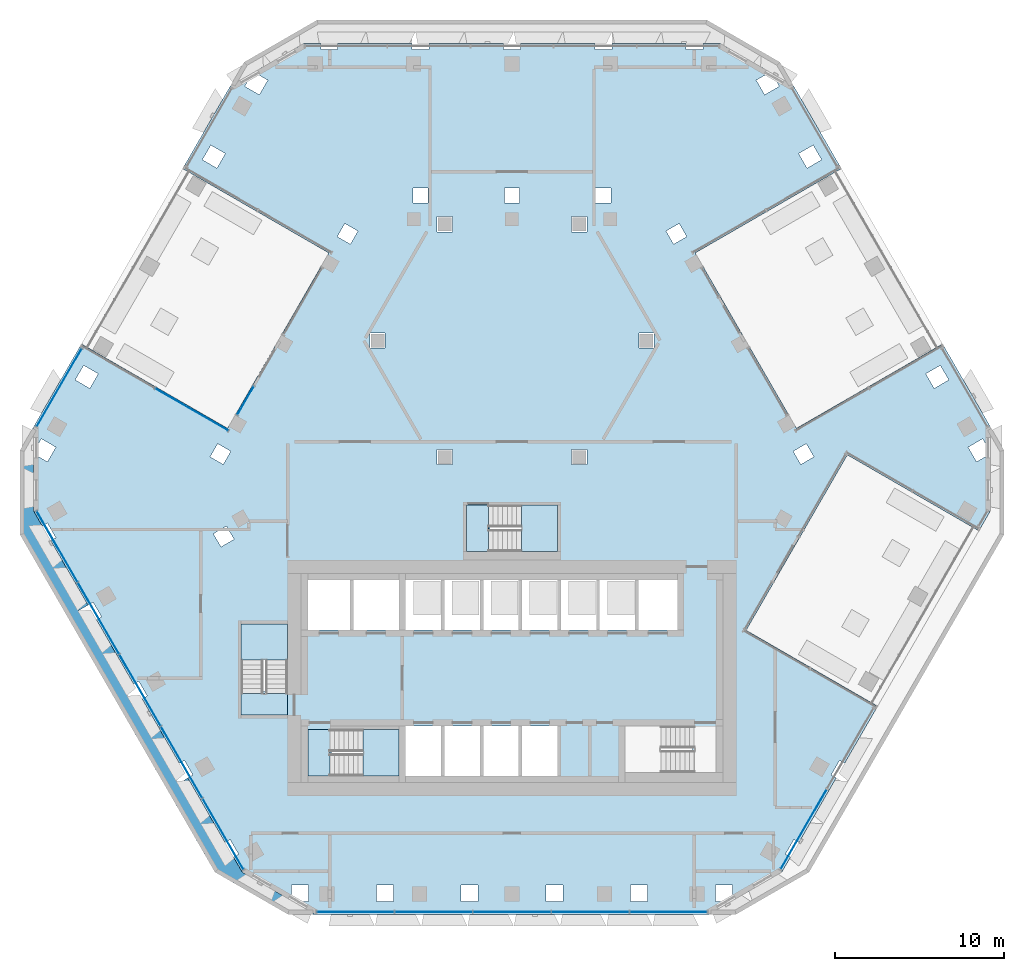
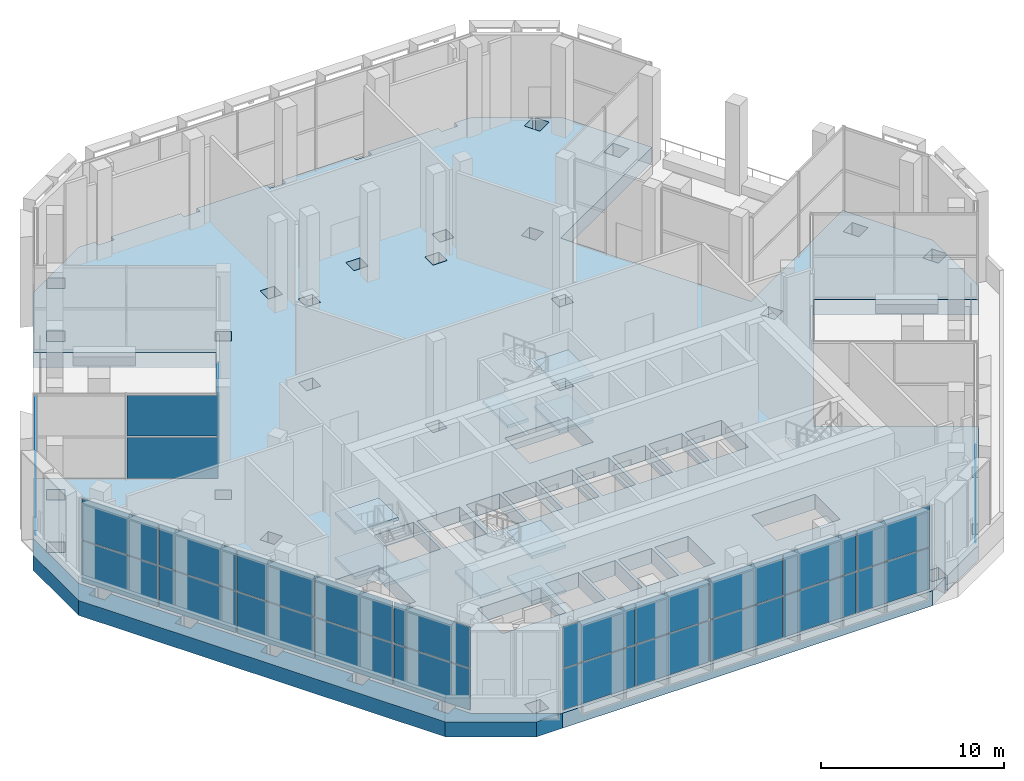
# One storey, part 7 of 27: 27 plates, 11 slabs, 9 elements without a shape of their own.
"""IFC4 building model written with IfcOpenShell, lengths in metres."""

from ifc_helpers import new_model, si_unit, direction, frame, origin, origin_2d, place, context, subcontext, project, spatial, polyline, rectangle, outline, extrude, material, layer, layer_set, type_object, element, aggregate, save


model = new_model("IFC4")

# Units and contexts
model_context = context("Model", 3, precision=1e-05, world=origin(), true_north=direction((0.0, 1.0)))
body_context = subcontext(model_context, "Body", "Model", "MODEL_VIEW")
ifc_project = project(units=[si_unit("LENGTHUNIT", "METRE"), si_unit("AREAUNIT", "SQUARE_METRE"), si_unit("VOLUMEUNIT", "CUBIC_METRE"), si_unit("PLANEANGLEUNIT", "RADIAN"), si_unit("MASSUNIT", "GRAM", prefix="KILO")], contexts=[model_context])

# Site, building, storey
site_placement = place(None, origin())
site = spatial("IfcSite", under=ifc_project, at=site_placement, CompositionType="ELEMENT")
building_placement = place(site_placement, origin())
building = spatial("IfcBuilding", under=site, at=building_placement, Name="Beryl Residences", CompositionType="ELEMENT")
storey_placement = place(building_placement, frame((0.0, 0.0, 111.60009765625)))
storey = spatial("IfcBuildingStorey", under=building, at=storey_placement, Name="L34", CompositionType="ELEMENT", Elevation=111.60009765625)

# Curtain wall, plates
ifc_material_1 = material(Name="Aluminium and clear glass", Category="aluminium")
curtain_wall_type = type_object("IfcCurtainWallType", Name="CW3 sky garden glazing glazed wall", PredefinedType="NOTDEFINED", material=ifc_material_1)
curtain_wall_1_placement = place(storey_placement, origin())
curtain_wall_1 = element("IfcCurtainWall", 1, at=curtain_wall_1_placement, inside=storey, type_object=curtain_wall_type, Name="CW3 L34 NW", PredefinedType="NOTDEFINED")
ifc_material_2 = material(Name="Clear laminated glass", Category="glass")
ifc_layer_1 = layer(ifc_material_2, 0.028076171875)
ifc_layer_set_1 = layer_set([ifc_layer_1], Name="CW3-P glazing panel 28 mm")
plate_type = type_object("IfcPlateType", Name="CW3-P glazing panel 28 mm", PredefinedType="CURTAIN_PANEL", material=ifc_layer_set_1)
plate_1_placement = place(storey_placement, frame((-26.83642578125, 5.218505859375, 0.079833984375), z_axis=(0.0, 0.0, 1.0), x_axis=(-0.499950258479, -0.866054120161, 0.0)))
plate_1 = element("IfcPlate", 2, at=plate_1_placement, type_object=plate_type, Name="CW3 panel 1.1", PredefinedType="CURTAIN_PANEL", context=body_context, shape_type="SweptSolid", body=[
    extrude(rectangle(XDim=5.28662109375, YDim=0.028076171875, at=origin_2d()), origin(), (0.0, 0.0, 1.0), 2.72998046875),
])
plate_2_placement = place(storey_placement, frame((-26.83642578125, 5.218505859375, 2.889892578125), z_axis=(0.0, 0.0, 1.0), x_axis=(-0.499950258479, -0.866054120161, 0.0)))
plate_2 = element("IfcPlate", 3, at=plate_2_placement, type_object=plate_type, Name="CW3 panel 1.2", PredefinedType="CURTAIN_PANEL", context=body_context, shape_type="SweptSolid", body=[
    extrude(rectangle(XDim=5.28662109375, YDim=0.028076171875, at=origin_2d()), origin(), (0.0, 0.0, 1.0), 2.72998046875),
])
aggregate(curtain_wall_1, [plate_1, plate_2])

curtain_wall_2_placement = place(storey_placement, origin())
curtain_wall_2 = element("IfcCurtainWall", 4, at=curtain_wall_2_placement, inside=storey, type_object=curtain_wall_type, Name="CW3 L34 SW", PredefinedType="NOTDEFINED")
plate_3_placement = place(storey_placement, frame((-26.95654296875, -4.210205078125, 0.079833984375), z_axis=(0.0, 0.0, 1.0), x_axis=(0.500003616288, -0.866023315909, 0.0)))
plate_3 = element("IfcPlate", 5, at=plate_3_placement, type_object=plate_type, Name="CW3 panel 1.1", PredefinedType="CURTAIN_PANEL", context=body_context, shape_type="SweptSolid", body=[
    extrude(rectangle(XDim=4.805908203125, YDim=0.028076171875, at=origin_2d()), origin(), (0.0, 0.0, 1.0), 2.72998046875),
])
plate_4_placement = place(storey_placement, frame((-26.95654296875, -4.210205078125, 2.889892578125), z_axis=(0.0, 0.0, 1.0), x_axis=(0.500003616288, -0.866023315909, 0.0)))
plate_4 = element("IfcPlate", 6, at=plate_4_placement, type_object=plate_type, Name="CW3 panel 1.2", PredefinedType="CURTAIN_PANEL", context=body_context, shape_type="SweptSolid", body=[
    extrude(rectangle(XDim=4.805908203125, YDim=0.028076171875, at=origin_2d()), origin(), (0.0, 0.0, 1.0), 2.72998046875),
])
plate_5_placement = place(storey_placement, frame((-24.50341796875, -8.458984375, 0.079833984375), z_axis=(0.0, 0.0, 1.0), x_axis=(0.500003616288, -0.866023315909, 0.0)))
plate_5 = element("IfcPlate", 7, at=plate_5_placement, type_object=plate_type, Name="CW3 panel 2.1", PredefinedType="CURTAIN_PANEL", context=body_context, shape_type="SweptSolid", body=[
    extrude(rectangle(XDim=4.845947265625, YDim=0.028076171875, at=origin_2d()), origin(), (0.0, 0.0, 1.0), 2.72998046875),
])
plate_6_placement = place(storey_placement, frame((-24.50341796875, -8.458984375, 2.889892578125), z_axis=(0.0, 0.0, 1.0), x_axis=(0.500003616288, -0.866023315909, 0.0)))
plate_6 = element("IfcPlate", 8, at=plate_6_placement, type_object=plate_type, Name="CW3 panel 2.2", PredefinedType="CURTAIN_PANEL", context=body_context, shape_type="SweptSolid", body=[
    extrude(rectangle(XDim=4.845947265625, YDim=0.028076171875, at=origin_2d()), origin(), (0.0, 0.0, 1.0), 2.72998046875),
])
plate_7_placement = place(storey_placement, frame((-22.04052734375, -12.72509765625, 0.079833984375), z_axis=(0.0, 0.0, 1.0), x_axis=(0.500003616288, -0.866023315909, 0.0)))
plate_7 = element("IfcPlate", 9, at=plate_7_placement, type_object=plate_type, Name="CW3 panel 3.1", PredefinedType="CURTAIN_PANEL", context=body_context, shape_type="SweptSolid", body=[
    extrude(rectangle(XDim=4.845947265625, YDim=0.028076171875, at=origin_2d()), origin(), (0.0, 0.0, 1.0), 2.72998046875),
])
plate_8_placement = place(storey_placement, frame((-22.04052734375, -12.72509765625, 2.889892578125), z_axis=(0.0, 0.0, 1.0), x_axis=(0.500003616288, -0.866023315909, 0.0)))
plate_8 = element("IfcPlate", 10, at=plate_8_placement, type_object=plate_type, Name="CW3 panel 3.2", PredefinedType="CURTAIN_PANEL", context=body_context, shape_type="SweptSolid", body=[
    extrude(rectangle(XDim=4.845947265625, YDim=0.028076171875, at=origin_2d()), origin(), (0.0, 0.0, 1.0), 2.72998046875),
])
plate_9_placement = place(storey_placement, frame((-19.577392578125, -16.990966796875, 0.079833984375), z_axis=(0.0, 0.0, 1.0), x_axis=(0.500003616288, -0.866023315909, 0.0)))
plate_9 = element("IfcPlate", 11, at=plate_9_placement, type_object=plate_type, Name="CW3 panel 4.1", PredefinedType="CURTAIN_PANEL", context=body_context, shape_type="SweptSolid", body=[
    extrude(rectangle(XDim=4.845947265625, YDim=0.028076171875, at=origin_2d()), origin(), (0.0, 0.0, 1.0), 2.72998046875),
])
plate_10_placement = place(storey_placement, frame((-19.577392578125, -16.990966796875, 2.889892578125), z_axis=(0.0, 0.0, 1.0), x_axis=(0.500003616288, -0.866023315909, 0.0)))
plate_10 = element("IfcPlate", 12, at=plate_10_placement, type_object=plate_type, Name="CW3 panel 4.2", PredefinedType="CURTAIN_PANEL", context=body_context, shape_type="SweptSolid", body=[
    extrude(rectangle(XDim=4.845947265625, YDim=0.028076171875, at=origin_2d()), origin(), (0.0, 0.0, 1.0), 2.72998046875),
])
plate_11_placement = place(storey_placement, frame((-17.12451171875, -21.23974609375, 0.079833984375), z_axis=(0.0, 0.0, 1.0), x_axis=(0.500003616288, -0.866023315909, 0.0)))
plate_11 = element("IfcPlate", 13, at=plate_11_placement, type_object=plate_type, Name="CW3 panel 5.1", PredefinedType="CURTAIN_PANEL", context=body_context, shape_type="SweptSolid", body=[
    extrude(rectangle(XDim=4.805908203125, YDim=0.028076171875, at=origin_2d()), origin(), (0.0, 0.0, 1.0), 2.72998046875),
])
plate_12_placement = place(storey_placement, frame((-17.12451171875, -21.23974609375, 2.889892578125), z_axis=(0.0, 0.0, 1.0), x_axis=(0.500003616288, -0.866023315909, 0.0)))
plate_12 = element("IfcPlate", 14, at=plate_12_placement, type_object=plate_type, Name="CW3 panel 5.2", PredefinedType="CURTAIN_PANEL", context=body_context, shape_type="SweptSolid", body=[
    extrude(rectangle(XDim=4.805908203125, YDim=0.028076171875, at=origin_2d()), origin(), (0.0, 0.0, 1.0), 2.72998046875),
])
aggregate(curtain_wall_2, [plate_3, plate_4, plate_5, plate_6, plate_7, plate_8, plate_9, plate_10, plate_11, plate_12])

curtain_wall_3_placement = place(storey_placement, origin())
curtain_wall_3 = element("IfcCurtainWall", 15, at=curtain_wall_3_placement, inside=storey, type_object=curtain_wall_type, Name="CW3 L34 S", PredefinedType="NOTDEFINED")
plate_13_placement = place(storey_placement, frame((-9.277587890625, -25.85009765625, 0.079833984375), z_axis=(0.0, 0.0, 1.0), x_axis=(1.0, 0.0, 0.0)))
plate_13 = element("IfcPlate", 16, at=plate_13_placement, type_object=plate_type, Name="CW3 panel 1.1", PredefinedType="CURTAIN_PANEL", context=body_context, shape_type="SweptSolid", body=[
    extrude(rectangle(XDim=4.52880859375, YDim=0.028076171875, at=origin_2d()), origin(), (0.0, 0.0, 1.0), 2.72998046875),
])
plate_14_placement = place(storey_placement, frame((-9.277587890625, -25.85009765625, 2.889892578125), z_axis=(0.0, 0.0, 1.0), x_axis=(1.0, 0.0, 0.0)))
plate_14 = element("IfcPlate", 17, at=plate_14_placement, type_object=plate_type, Name="CW3 panel 1.2", PredefinedType="CURTAIN_PANEL", context=body_context, shape_type="SweptSolid", body=[
    extrude(rectangle(XDim=4.52880859375, YDim=0.028076171875, at=origin_2d()), origin(), (0.0, 0.0, 1.0), 2.72998046875),
])
plate_15_placement = place(storey_placement, frame((-4.648681640625, -25.85009765625, 0.079833984375), z_axis=(0.0, 0.0, 1.0), x_axis=(1.0, 0.0, 0.0)))
plate_15 = element("IfcPlate", 18, at=plate_15_placement, type_object=plate_type, Name="CW3 panel 2.1", PredefinedType="CURTAIN_PANEL", context=body_context, shape_type="SweptSolid", body=[
    extrude(rectangle(XDim=4.56884765625, YDim=0.028076171875, at=origin_2d()), origin(), (0.0, 0.0, 1.0), 2.72998046875),
])
plate_16_placement = place(storey_placement, frame((-4.648681640625, -25.85009765625, 2.889892578125), z_axis=(0.0, 0.0, 1.0), x_axis=(1.0, 0.0, 0.0)))
plate_16 = element("IfcPlate", 19, at=plate_16_placement, type_object=plate_type, Name="CW3 panel 2.2", PredefinedType="CURTAIN_PANEL", context=body_context, shape_type="SweptSolid", body=[
    extrude(rectangle(XDim=4.56884765625, YDim=0.028076171875, at=origin_2d()), origin(), (0.0, 0.0, 1.0), 2.72998046875),
])
plate_17_placement = place(storey_placement, frame((0.0, -25.85009765625, 0.079833984375), z_axis=(0.0, 0.0, 1.0), x_axis=(1.0, 0.0, 0.0)))
plate_17 = element("IfcPlate", 20, at=plate_17_placement, type_object=plate_type, Name="CW3 panel 3.1", PredefinedType="CURTAIN_PANEL", context=body_context, shape_type="SweptSolid", body=[
    extrude(rectangle(XDim=4.56884765625, YDim=0.028076171875, at=origin_2d()), origin(), (0.0, 0.0, 1.0), 2.72998046875),
])
plate_18_placement = place(storey_placement, frame((0.0, -25.85009765625, 2.889892578125), z_axis=(0.0, 0.0, 1.0), x_axis=(1.0, 0.0, 0.0)))
plate_18 = element("IfcPlate", 21, at=plate_18_placement, type_object=plate_type, Name="CW3 panel 3.2", PredefinedType="CURTAIN_PANEL", context=body_context, shape_type="SweptSolid", body=[
    extrude(rectangle(XDim=4.56884765625, YDim=0.028076171875, at=origin_2d()), origin(), (0.0, 0.0, 1.0), 2.72998046875),
])
plate_19_placement = place(storey_placement, frame((4.648681640625, -25.85009765625, 0.079833984375), z_axis=(0.0, 0.0, 1.0), x_axis=(1.0, 0.0, 0.0)))
plate_19 = element("IfcPlate", 22, at=plate_19_placement, type_object=plate_type, Name="CW3 panel 4.1", PredefinedType="CURTAIN_PANEL", context=body_context, shape_type="SweptSolid", body=[
    extrude(rectangle(XDim=4.56884765625, YDim=0.028076171875, at=origin_2d()), origin(), (0.0, 0.0, 1.0), 2.72998046875),
])
plate_20_placement = place(storey_placement, frame((4.648681640625, -25.85009765625, 2.889892578125), z_axis=(0.0, 0.0, 1.0), x_axis=(1.0, 0.0, 0.0)))
plate_20 = element("IfcPlate", 23, at=plate_20_placement, type_object=plate_type, Name="CW3 panel 4.2", PredefinedType="CURTAIN_PANEL", context=body_context, shape_type="SweptSolid", body=[
    extrude(rectangle(XDim=4.56884765625, YDim=0.028076171875, at=origin_2d()), origin(), (0.0, 0.0, 1.0), 2.72998046875),
])
plate_21_placement = place(storey_placement, frame((9.277587890625, -25.85009765625, 0.079833984375), z_axis=(0.0, 0.0, 1.0), x_axis=(1.0, 0.0, 0.0)))
plate_21 = element("IfcPlate", 24, at=plate_21_placement, type_object=plate_type, Name="CW3 panel 5.1", PredefinedType="CURTAIN_PANEL", context=body_context, shape_type="SweptSolid", body=[
    extrude(rectangle(XDim=4.52880859375, YDim=0.028076171875, at=origin_2d()), origin(), (0.0, 0.0, 1.0), 2.72998046875),
])
plate_22_placement = place(storey_placement, frame((9.277587890625, -25.85009765625, 2.889892578125), z_axis=(0.0, 0.0, 1.0), x_axis=(1.0, 0.0, 0.0)))
plate_22 = element("IfcPlate", 25, at=plate_22_placement, type_object=plate_type, Name="CW3 panel 5.2", PredefinedType="CURTAIN_PANEL", context=body_context, shape_type="SweptSolid", body=[
    extrude(rectangle(XDim=4.52880859375, YDim=0.028076171875, at=origin_2d()), origin(), (0.0, 0.0, 1.0), 2.72998046875),
])
aggregate(curtain_wall_3, [plate_13, plate_14, plate_15, plate_16, plate_17, plate_18, plate_19, plate_20, plate_21, plate_22])

# Curtain wall, plate
curtain_wall_4_placement = place(storey_placement, origin())
curtain_wall_4 = element("IfcCurtainWall", 26, at=curtain_wall_4_placement, inside=storey, type_object=curtain_wall_type, Name="CW3 L34 SE", PredefinedType="NOTDEFINED")
plate_23_placement = place(storey_placement, frame((17.285400390625, -20.9609375, 0.079833984375), z_axis=(0.0, 0.0, 1.0), x_axis=(0.500020329666, 0.866013666128, 0.0)))
plate_23 = element("IfcPlate", 27, at=plate_23_placement, type_object=plate_type, Name="CW3 panel 1.1", PredefinedType="CURTAIN_PANEL", context=body_context, shape_type="SweptSolid", body=[
    extrude(rectangle(XDim=5.44970703125, YDim=0.028076171875, at=origin_2d()), origin(), (0.0, 0.0, 1.0), 2.72998046875),
])
aggregate(curtain_wall_4, [plate_23])

# Curtain wall, plates
curtain_wall_5_placement = place(storey_placement, origin())
curtain_wall_5 = element("IfcCurtainWall", 28, at=curtain_wall_5_placement, inside=storey, type_object=curtain_wall_type, Name="CW3 L34 NW garden back", PredefinedType="NOTDEFINED")
plate_24_placement = place(storey_placement, frame((-15.7900390625, 4.451416015625, 0.079833984375), z_axis=(0.0, 0.0, 1.0), x_axis=(-0.500069298337, -0.865985390674, 0.0)))
plate_24 = element("IfcPlate", 29, at=plate_24_placement, type_object=plate_type, Name="CW3 panel 1.1", PredefinedType="CURTAIN_PANEL", context=body_context, shape_type="SweptSolid", body=[
    extrude(rectangle(XDim=1.919677734375, YDim=0.028076171875, at=origin_2d()), origin(), (0.0, 0.0, 1.0), 2.72998046875),
])
plate_25_placement = place(storey_placement, frame((-15.7900390625, 4.451416015625, 2.889892578125), z_axis=(0.0, 0.0, 1.0), x_axis=(-0.500069298337, -0.865985390674, 0.0)))
plate_25 = element("IfcPlate", 30, at=plate_25_placement, type_object=plate_type, Name="CW3 panel 1.2", PredefinedType="CURTAIN_PANEL", context=body_context, shape_type="SweptSolid", body=[
    extrude(rectangle(XDim=1.919677734375, YDim=0.028076171875, at=origin_2d()), origin(), (0.0, 0.0, 1.0), 2.72998046875),
])
aggregate(curtain_wall_5, [plate_24, plate_25])

curtain_wall_6_placement = place(storey_placement, origin())
curtain_wall_6 = element("IfcCurtainWall", 31, at=curtain_wall_6_placement, inside=storey, type_object=curtain_wall_type, Name="CW3 L34 NW garden right", PredefinedType="NOTDEFINED")
plate_26_placement = place(storey_placement, frame((-18.975341796875, 3.911865234375, 0.079833984375), z_axis=(0.0, 0.0, 1.0), x_axis=(0.866051386658, -0.499954993642, 0.0)))
plate_26 = element("IfcPlate", 32, at=plate_26_placement, type_object=plate_type, Name="CW3 panel 2.1", PredefinedType="CURTAIN_PANEL", context=body_context, shape_type="SweptSolid", body=[
    extrude(rectangle(XDim=4.967529296875, YDim=0.028076171875, at=origin_2d()), origin(), (0.0, 0.0, 1.0), 2.72998046875),
])
plate_27_placement = place(storey_placement, frame((-18.975341796875, 3.911865234375, 2.889892578125), z_axis=(0.0, 0.0, 1.0), x_axis=(0.866051386658, -0.499954993642, 0.0)))
plate_27 = element("IfcPlate", 33, at=plate_27_placement, type_object=plate_type, Name="CW3 panel 2.2", PredefinedType="CURTAIN_PANEL", context=body_context, shape_type="SweptSolid", body=[
    extrude(rectangle(XDim=4.967529296875, YDim=0.028076171875, at=origin_2d()), origin(), (0.0, 0.0, 1.0), 2.72998046875),
])
aggregate(curtain_wall_6, [plate_26, plate_27])

# Slabs
ifc_material_3 = material(Name="Concrete C60/75", Category="concrete")
ifc_layer_2 = layer(ifc_material_3, 1.0)
ifc_layer_set_2 = layer_set([ifc_layer_2], Name="SL11 roof strip slab 1000 mm C60/75")
slab_type_1 = type_object("IfcSlabType", Name="SL11 roof strip slab 1000 mm C60/75", PredefinedType="ROOF", material=ifc_layer_set_2)
slab_1_placement = place(storey_placement, frame((0.0, 0.0, -1.0)))
element("IfcSlab", 34, at=slab_1_placement, inside=storey, type_object=slab_type_1, Name="roof L34 1 1", PredefinedType="ROOF", context=body_context, shape_type="SweptSolid", body=[
    extrude(outline(polyline([(-29.156982421875, -3.5), (-29.156982421875, 1.5), (-28.34912109375, 2.8994140625), (-28.34912109375, 1.3984375), (-28.39599609375, 1.31689453125), (-28.34912109375, 1.289794921875), (-28.34912109375, -2.10009765625), (-27.834716796875, -2.9912109375), (-28.39697265625, -3.31591796875), (-27.89697265625, -4.181884765625), (-27.33447265625, -3.857421875), (-25.127685546875, -7.679443359375), (-25.68994140625, -8.00390625), (-25.18994140625, -8.8701171875), (-24.627685546875, -8.54541015625), (-22.4208984375, -12.367431640625), (-22.98291015625, -12.69189453125), (-22.48291015625, -13.55810546875), (-21.9208984375, -13.2333984375), (-19.71435546875, -17.05517578125), (-20.277099609375, -17.3798828125), (-19.777099609375, -18.24609375), (-19.21435546875, -17.921142578125), (-17.007568359375, -21.7431640625), (-17.570068359375, -22.068115234375), (-17.070068359375, -22.93408203125), (-16.507568359375, -22.609130859375), (-15.992919921875, -23.50048828125), (-13.056884765625, -25.19580078125), (-13.056884765625, -25.25), (-12.962890625, -25.25), (-11.6640625, -26.0), (-13.279052734375, -26.0), (-17.60888671875, -23.5), (-29.156982421875, -3.5)])), origin(), (0.0, 0.0, 1.0), 1.0),
])
ifc_material_4 = material(Name="Concrete C60/75", Category="concrete")
ifc_layer_3 = layer(ifc_material_4, 1.0)
ifc_layer_set_3 = layer_set([ifc_layer_3], Name="SL9 transfer plate 1000 mm C60/75")
slab_type_2 = type_object("IfcSlabType", Name="SL9 transfer plate 1000 mm C60/75", PredefinedType="FLOOR", material=ifc_layer_set_3)
slab_2_placement = place(storey_placement, frame((0.0, 0.0, -1.0)))
element("IfcSlab", 35, at=slab_2_placement, inside=storey, type_object=slab_type_2, Name="L34 slab 1", PredefinedType="FLOOR", context=body_context, shape_type="SweptSolid", body=[
    extrude(outline(polyline([(-11.326904296875, 25.60009765625), (-11.326904296875, 25.25), (-10.326904296875, 25.25), (-10.326904296875, 25.60009765625), (-5.9140625, 25.60009765625), (-5.9140625, 25.25), (-4.9140625, 25.25), (-4.9140625, 25.60009765625), (-0.5009765625, 25.60009765625), (-0.5009765625, 25.25), (0.4990234375, 25.25), (0.4990234375, 25.60009765625), (4.912109375, 25.60009765625), (4.912109375, 25.25), (5.912109375, 25.25), (5.912109375, 25.60009765625), (10.324951171875, 25.60009765625), (10.324951171875, 25.25), (11.324951171875, 25.25), (11.324951171875, 25.60009765625), (12.35498046875, 25.60009765625), (15.29052734375, 23.905029296875), (14.472900390625, 23.43310546875), (14.972900390625, 22.56689453125), (15.839111328125, 23.06689453125), (15.387451171875, 23.84912109375), (16.68505859375, 23.10009765625), (19.5166015625, 18.19580078125), (10.85693359375, 13.196044921875), (16.85693359375, 2.803955078125), (25.5166015625, 7.8037109375), (28.347900390625, 2.89990234375), (28.347900390625, 1.40087890625), (27.89697265625, 2.181884765625), (27.031005859375, 1.681884765625), (27.531005859375, 0.81591796875), (28.347900390625, 1.28759765625), (28.347900390625, -2.10009765625), (27.670166015625, -3.274169921875), (19.8759765625, 1.22607421875), (13.8759765625, -9.166015625), (21.669921875, -13.666015625), (19.71337890625, -17.0546875), (19.410888671875, -16.8798828125), (18.910888671875, -17.74609375), (19.21337890625, -17.920654296875), (17.006591796875, -21.74267578125), (16.7041015625, -21.568115234375), (16.2041015625, -22.43408203125), (16.506591796875, -22.608642578125), (15.991943359375, -23.5), (13.05810546875, -25.194091796875), (13.05810546875, -24.25), (12.05810546875, -24.25), (12.05810546875, -25.25), (12.9609375, -25.25), (11.662109375, -26.0), (-11.662109375, -26.0), (-12.9609375, -25.25), (-12.056884765625, -25.25), (-12.056884765625, -24.25), (-13.056884765625, -24.25), (-13.056884765625, -25.194580078125), (-15.991943359375, -23.5), (-16.506591796875, -22.608642578125), (-16.2041015625, -22.43408203125), (-16.7041015625, -21.568115234375), (-17.006591796875, -21.74267578125), (-19.21337890625, -17.920654296875), (-18.910888671875, -17.74609375), (-19.410888671875, -16.8798828125), (-19.71337890625, -17.0546875), (-21.919921875, -13.23291015625), (-21.616943359375, -13.05810546875), (-22.116943359375, -12.19189453125), (-22.419921875, -12.366943359375), (-24.626708984375, -8.544921875), (-24.323974609375, -8.3701171875), (-24.823974609375, -7.50390625), (-25.126953125, -7.678955078125), (-27.333740234375, -3.856689453125), (-27.031005859375, -3.681884765625), (-27.531005859375, -2.81591796875), (-27.833740234375, -2.99072265625), (-28.347900390625, -2.10009765625), (-28.347900390625, 1.289306640625), (-27.530029296875, 0.81689453125), (-27.030029296875, 1.68310546875), (-27.89599609375, 2.18310546875), (-28.347900390625, 1.400146484375), (-28.347900390625, 2.89990234375), (-25.5166015625, 7.8037109375), (-16.85693359375, 2.803955078125), (-10.85693359375, 13.196044921875), (-19.5166015625, 18.19580078125), (-16.68505859375, 23.10009765625), (-15.38671875, 23.849609375), (-15.837890625, 23.068115234375), (-14.971923828125, 22.568115234375), (-14.471923828125, 23.43408203125), (-15.289306640625, 23.906005859375), (-12.35498046875, 25.60009765625), (-11.326904296875, 25.60009765625)]), holes=[polyline([(25.885009765625, 5.6669921875), (25.385009765625, 6.532958984375), (24.51904296875, 6.032958984375), (25.01904296875, 5.1669921875), (25.885009765625, 5.6669921875)]), polyline([(17.85009765625, 19.5830078125), (16.98388671875, 19.0830078125), (17.48388671875, 18.217041015625), (18.35009765625, 18.717041015625), (17.85009765625, 19.5830078125)]), polyline([(17.443115234375, 1.888916015625), (16.6630859375, 1.43896484375), (17.113037109375, 0.658935546875), (17.89306640625, 1.10888671875), (17.443115234375, 1.888916015625)]), polyline([(6.699951171875, -14.85009765625), (6.699951171875, -17.60009765625), (10.699951171875, -17.60009765625), (10.699951171875, -14.85009765625), (6.699951171875, -14.85009765625)]), polyline([(9.907958984375, 14.93994140625), (9.1279296875, 14.489990234375), (9.577880859375, 13.7099609375), (10.35791015625, 14.159912109375), (9.907958984375, 14.93994140625)]), polyline([(9.800048828125, -9.14990234375), (9.800048828125, -6.199951171875), (7.5, -6.199951171875), (7.5, -9.14990234375), (9.800048828125, -9.14990234375)]), polyline([(8.4169921875, 7.550048828125), (8.4169921875, 8.449951171875), (7.51708984375, 8.449951171875), (7.51708984375, 7.550048828125), (8.4169921875, 7.550048828125)]), polyline([(8.034912109375, -25.25), (8.034912109375, -24.25), (7.034912109375, -24.25), (7.034912109375, -25.25), (8.034912109375, -25.25)]), polyline([(5.199951171875, -6.199951171875), (5.199951171875, -9.14990234375), (7.300048828125, -9.14990234375), (7.300048828125, -6.199951171875), (5.199951171875, -6.199951171875)]), polyline([(5.862060546875, 17.050048828125), (4.9619140625, 17.050048828125), (4.9619140625, 16.14990234375), (5.862060546875, 16.14990234375), (5.862060546875, 17.050048828125)]), polyline([(2.89990234375, -6.199951171875), (2.89990234375, -9.14990234375), (5.0, -9.14990234375), (5.0, -6.199951171875), (2.89990234375, -6.199951171875)]), polyline([(4.43408203125, 14.449951171875), (4.43408203125, 15.35009765625), (3.533935546875, 15.35009765625), (3.533935546875, 14.449951171875), (4.43408203125, 14.449951171875)]), polyline([(4.43408203125, 0.64990234375), (4.43408203125, 1.550048828125), (3.533935546875, 1.550048828125), (3.533935546875, 0.64990234375), (4.43408203125, 0.64990234375)]), polyline([(3.011962890625, -25.25), (3.011962890625, -24.25), (2.011962890625, -24.25), (2.011962890625, -25.25), (3.011962890625, -25.25)]), polyline([(2.699951171875, -1.75), (-1.300048828125, -1.75), (-1.300048828125, -4.5), (2.699951171875, -4.5), (2.699951171875, -1.75)]), polyline([(0.60009765625, -6.199951171875), (0.60009765625, -9.14990234375), (2.699951171875, -9.14990234375), (2.699951171875, -6.199951171875), (0.60009765625, -6.199951171875)]), polyline([(0.60009765625, -14.85009765625), (0.60009765625, -17.800048828125), (2.699951171875, -17.800048828125), (2.699951171875, -14.85009765625), (0.60009765625, -14.85009765625)]), polyline([(0.448974609375, 17.050048828125), (-0.450927734375, 17.050048828125), (-0.450927734375, 16.14990234375), (0.448974609375, 16.14990234375), (0.448974609375, 17.050048828125)]), polyline([(-1.699951171875, -14.85009765625), (-1.699951171875, -17.800048828125), (0.39990234375, -17.800048828125), (0.39990234375, -14.85009765625), (-1.699951171875, -14.85009765625)]), polyline([(-1.699951171875, -9.14990234375), (0.39990234375, -9.14990234375), (0.39990234375, -6.199951171875), (-1.699951171875, -6.199951171875), (-1.699951171875, -9.14990234375)]), polyline([(-4.0, -6.199951171875), (-4.0, -9.14990234375), (-1.89990234375, -9.14990234375), (-1.89990234375, -6.199951171875), (-4.0, -6.199951171875)]), polyline([(-4.0, -14.85009765625), (-4.0, -17.800048828125), (-1.89990234375, -17.800048828125), (-1.89990234375, -14.85009765625), (-4.0, -14.85009765625)]), polyline([(-2.010986328125, -24.25), (-3.010986328125, -24.25), (-3.010986328125, -25.25), (-2.010986328125, -25.25), (-2.010986328125, -24.25)]), polyline([(-4.43408203125, 14.449951171875), (-3.533935546875, 14.449951171875), (-3.533935546875, 15.35009765625), (-4.43408203125, 15.35009765625), (-4.43408203125, 14.449951171875)]), polyline([(-4.43408203125, 0.64990234375), (-3.533935546875, 0.64990234375), (-3.533935546875, 1.550048828125), (-4.43408203125, 1.550048828125), (-4.43408203125, 0.64990234375)]), polyline([(-6.300048828125, -6.199951171875), (-6.300048828125, -9.14990234375), (-4.199951171875, -9.14990234375), (-4.199951171875, -6.199951171875), (-6.300048828125, -6.199951171875)]), polyline([(-6.300048828125, -14.85009765625), (-6.300048828125, -17.800048828125), (-4.199951171875, -17.800048828125), (-4.199951171875, -14.85009765625), (-6.300048828125, -14.85009765625)]), polyline([(-5.864013671875, 16.14990234375), (-4.964111328125, 16.14990234375), (-4.964111328125, 17.050048828125), (-5.864013671875, 17.050048828125), (-5.864013671875, 16.14990234375)]), polyline([(-10.699951171875, -17.800048828125), (-6.699951171875, -17.800048828125), (-6.699951171875, -15.050048828125), (-10.699951171875, -15.050048828125), (-10.699951171875, -17.800048828125)]), polyline([(-9.39990234375, -9.14990234375), (-6.699951171875, -9.14990234375), (-6.699951171875, -6.199951171875), (-9.39990234375, -6.199951171875), (-9.39990234375, -9.14990234375)]), polyline([(-7.033935546875, -25.25), (-7.033935546875, -24.25), (-8.033935546875, -24.25), (-8.033935546875, -25.25), (-7.033935546875, -25.25)]), polyline([(-7.51708984375, 8.449951171875), (-8.4169921875, 8.449951171875), (-8.4169921875, 7.550048828125), (-7.51708984375, 7.550048828125), (-7.51708984375, 8.449951171875)]), polyline([(-9.907958984375, 14.93994140625), (-10.35791015625, 14.159912109375), (-9.577880859375, 13.7099609375), (-9.1279296875, 14.489990234375), (-9.907958984375, 14.93994140625)]), polyline([(-12.10009765625, -6.199951171875), (-12.10009765625, -9.14990234375), (-9.60009765625, -9.14990234375), (-9.60009765625, -6.199951171875), (-12.10009765625, -6.199951171875)]), polyline([(-13.300048828125, -12.800048828125), (-13.300048828125, -8.800048828125), (-16.050048828125, -8.800048828125), (-16.050048828125, -12.800048828125), (-13.300048828125, -12.800048828125)]), polyline([(-17.248046875, -4.22705078125), (-16.468017578125, -3.777099609375), (-16.91796875, -2.9970703125), (-17.697998046875, -3.447021484375), (-17.248046875, -4.22705078125)]), polyline([(-17.44189453125, 1.889892578125), (-17.89208984375, 1.110107421875), (-17.112060546875, 0.659912109375), (-16.662109375, 1.43994140625), (-17.44189453125, 1.889892578125)]), polyline([(-18.35009765625, 18.717041015625), (-17.48388671875, 18.217041015625), (-16.98388671875, 19.0830078125), (-17.85009765625, 19.5830078125), (-18.35009765625, 18.717041015625)]), polyline([(-25.885009765625, 5.6669921875), (-25.01904296875, 5.1669921875), (-24.51904296875, 6.032958984375), (-25.385009765625, 6.532958984375), (-25.885009765625, 5.6669921875)])]), origin(), (0.0, 0.0, 1.0), 1.0),
])

# Stair, slabs
ifc_material_5 = material(Name="Concrete C40/50", Category="concrete")
stair_type = type_object("IfcStairType", Name="ST1 protected exit stair, half-turn, 1300 mm flights", PredefinedType="HALF_TURN_STAIR", material=ifc_material_5)
stair_1_placement = place(storey_placement, origin())
stair_1 = element("IfcStair", 36, at=stair_1_placement, inside=storey, type_object=stair_type, Name="L34 PROTECTED EXIT STAIR ST-1", PredefinedType="HALF_TURN_STAIR")
ifc_material_6 = material(Name="Concrete C40/50", Category="concrete")
ifc_layer_4 = layer(ifc_material_6, 0.199951171875)
ifc_layer_set_4 = layer_set([ifc_layer_4], Name="SLD1 stair landing 200 mm")
slab_type_3 = type_object("IfcSlabType", Name="SLD1 stair landing 200 mm", PredefinedType="LANDING", material=ifc_layer_set_4)
slab_3_placement = place(storey_placement, frame((0.0, 0.0, 1.2998046875)))
slab_3 = element("IfcSlab", 37, at=slab_3_placement, type_object=slab_type_3, Name="ST-1 landing 1", PredefinedType="LANDING", context=body_context, shape_type="SweptSolid", body=[
    extrude(outline(polyline([(-8.840087890625, -17.800048828125), (-6.699951171875, -17.800048828125), (-6.699951171875, -15.050048828125), (-8.840087890625, -15.050048828125), (-8.840087890625, -17.800048828125)])), origin(), (0.0, 0.0, 1.0), 0.2001953125),
])
slab_4_placement = place(storey_placement, frame((0.0, 0.0, 2.7998046875)))
slab_4 = element("IfcSlab", 38, at=slab_4_placement, type_object=slab_type_3, Name="ST-1 landing 2", PredefinedType="LANDING", context=body_context, shape_type="SweptSolid", body=[
    extrude(outline(polyline([(-12.10009765625, -17.800048828125), (-10.800048828125, -17.800048828125), (-10.800048828125, -15.050048828125), (-12.10009765625, -15.050048828125), (-12.10009765625, -17.800048828125)])), origin(), (0.0, 0.0, 1.0), 0.2001953125),
])
slab_5_placement = place(storey_placement, frame((0.0, 0.0, 4.2998046875)))
slab_5 = element("IfcSlab", 39, at=slab_5_placement, type_object=slab_type_3, Name="ST-1 landing 3", PredefinedType="LANDING", context=body_context, shape_type="SweptSolid", body=[
    extrude(outline(polyline([(-8.840087890625, -17.800048828125), (-6.699951171875, -17.800048828125), (-6.699951171875, -15.050048828125), (-8.840087890625, -15.050048828125), (-8.840087890625, -17.800048828125)])), origin(), (0.0, 0.0, 1.0), 0.2001953125),
])
aggregate(stair_1, [slab_3, slab_4, slab_5])

stair_2_placement = place(storey_placement, origin())
stair_2 = element("IfcStair", 40, at=stair_2_placement, inside=storey, type_object=stair_type, Name="L34 PROTECTED EXIT STAIR ST-2", PredefinedType="HALF_TURN_STAIR")
slab_6_placement = place(storey_placement, frame((0.0, 0.0, 1.2998046875)))
slab_6 = element("IfcSlab", 41, at=slab_6_placement, type_object=slab_type_3, Name="ST-2 landing 1", PredefinedType="LANDING", context=body_context, shape_type="SweptSolid", body=[
    extrude(outline(polyline([(-13.300048828125, -10.93994140625), (-13.300048828125, -8.800048828125), (-16.050048828125, -8.800048828125), (-16.050048828125, -10.93994140625), (-13.300048828125, -10.93994140625)])), origin(), (0.0, 0.0, 1.0), 0.2001953125),
])
slab_7_placement = place(storey_placement, frame((0.0, 0.0, 2.7998046875)))
slab_7 = element("IfcSlab", 42, at=slab_7_placement, type_object=slab_type_3, Name="ST-2 landing 2", PredefinedType="LANDING", context=body_context, shape_type="SweptSolid", body=[
    extrude(outline(polyline([(-13.300048828125, -14.199951171875), (-13.300048828125, -12.89990234375), (-16.050048828125, -12.89990234375), (-16.050048828125, -14.199951171875), (-13.300048828125, -14.199951171875)])), origin(), (0.0, 0.0, 1.0), 0.2001953125),
])
slab_8_placement = place(storey_placement, frame((0.0, 0.0, 4.2998046875)))
slab_8 = element("IfcSlab", 43, at=slab_8_placement, type_object=slab_type_3, Name="ST-2 landing 3", PredefinedType="LANDING", context=body_context, shape_type="SweptSolid", body=[
    extrude(outline(polyline([(-13.300048828125, -10.93994140625), (-13.300048828125, -8.800048828125), (-16.050048828125, -8.800048828125), (-16.050048828125, -10.93994140625), (-13.300048828125, -10.93994140625)])), origin(), (0.0, 0.0, 1.0), 0.2001953125),
])
aggregate(stair_2, [slab_6, slab_7, slab_8])

stair_3_placement = place(storey_placement, origin())
stair_3 = element("IfcStair", 44, at=stair_3_placement, inside=storey, type_object=stair_type, Name="L34 PROTECTED EXIT STAIR ST-4", PredefinedType="HALF_TURN_STAIR")
slab_9_placement = place(storey_placement, frame((0.0, 0.0, 1.2998046875)))
slab_9 = element("IfcSlab", 45, at=slab_9_placement, type_object=slab_type_3, Name="ST-4 landing 1", PredefinedType="LANDING", context=body_context, shape_type="SweptSolid", body=[
    extrude(outline(polyline([(0.56005859375, -4.5), (2.699951171875, -4.5), (2.699951171875, -1.75), (0.56005859375, -1.75), (0.56005859375, -4.5)])), origin(), (0.0, 0.0, 1.0), 0.2001953125),
])
slab_10_placement = place(storey_placement, frame((0.0, 0.0, 2.7998046875)))
slab_10 = element("IfcSlab", 46, at=slab_10_placement, type_object=slab_type_3, Name="ST-4 landing 2", PredefinedType="LANDING", context=body_context, shape_type="SweptSolid", body=[
    extrude(outline(polyline([(-2.699951171875, -4.5), (-1.39990234375, -4.5), (-1.39990234375, -1.75), (-2.699951171875, -1.75), (-2.699951171875, -4.5)])), origin(), (0.0, 0.0, 1.0), 0.2001953125),
])
slab_11_placement = place(storey_placement, frame((0.0, 0.0, 4.2998046875)))
slab_11 = element("IfcSlab", 47, at=slab_11_placement, type_object=slab_type_3, Name="ST-4 landing 3", PredefinedType="LANDING", context=body_context, shape_type="SweptSolid", body=[
    extrude(outline(polyline([(0.56005859375, -4.5), (2.699951171875, -4.5), (2.699951171875, -1.75), (0.56005859375, -1.75), (0.56005859375, -4.5)])), origin(), (0.0, 0.0, 1.0), 0.2001953125),
])
aggregate(stair_3, [slab_9, slab_10, slab_11])

save(model, "model.ifc")
